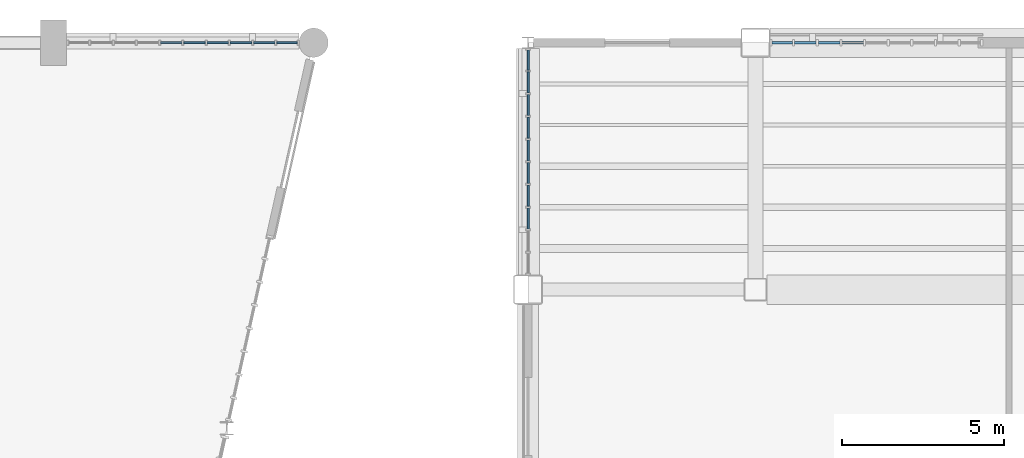
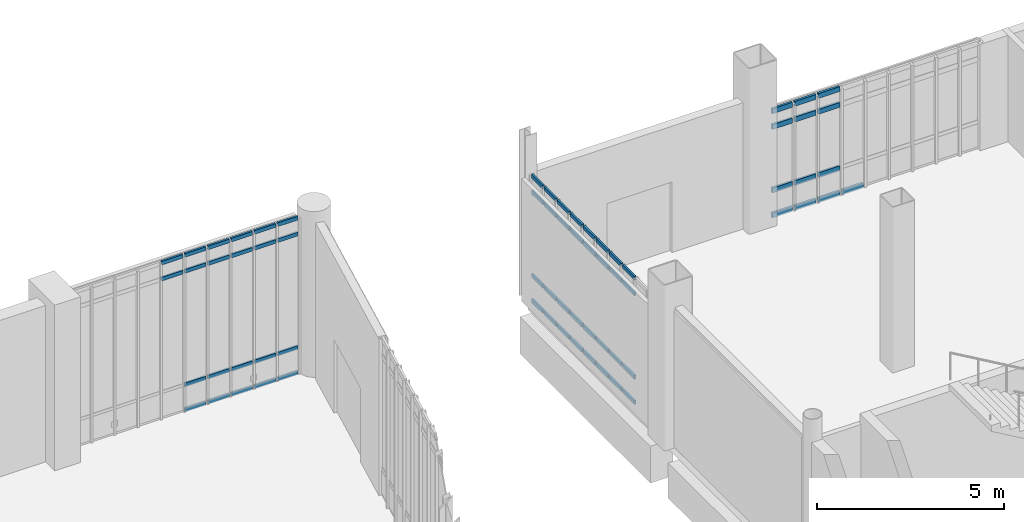
# One storey, part 48 of 111: 67 members, 3 elements without a shape of their own.
"""IFC4 building model written with IfcOpenShell, lengths in metres."""

from ifc_helpers import new_model, si_unit, direction, frame, origin, origin_2d, place, context, subcontext, project, spatial, rectangle, extrude, material, material_profile, profile_set, type_object, element, aggregate, save


model = new_model("IFC4")

# Units and contexts
model_context = context("Model", 3, precision=1e-05, world=origin(), true_north=direction((0.0, 1.0)))
body_context = subcontext(model_context, "Body", "Model", "MODEL_VIEW")
ifc_project = project(units=[si_unit("LENGTHUNIT", "METRE"), si_unit("AREAUNIT", "SQUARE_METRE"), si_unit("VOLUMEUNIT", "CUBIC_METRE"), si_unit("PLANEANGLEUNIT", "RADIAN"), si_unit("MASSUNIT", "GRAM", prefix="KILO")], contexts=[model_context])

# Site, building, storey
site_placement = place(None, origin())
site = spatial("IfcSite", under=ifc_project, at=site_placement, CompositionType="ELEMENT")
building_placement = place(site_placement, origin())
building = spatial("IfcBuilding", under=site, at=building_placement, Name="Larkvane Passage Sports Hall", CompositionType="ELEMENT")
storey_placement = place(building_placement, origin())
storey = spatial("IfcBuildingStorey", under=building, at=storey_placement, Name="L00", CompositionType="ELEMENT", Elevation=0.0)

# Curtain wall, members
ifc_material_1 = material(Name="Thermally broken aluminium and low-E glazing", Category="aluminium")
curtain_wall_type_1 = type_object("IfcCurtainWallType", Name="CW-UNIT-COURT", PredefinedType="USERDEFINED", material=ifc_material_1)
curtain_wall_1_placement = place(storey_placement, origin())
curtain_wall_1 = element("IfcCurtainWall", 1, at=curtain_wall_1_placement, inside=storey, type_object=curtain_wall_type_1, Name="Curtain wall CW5-L00-012", ObjectType="UNITISED CURTAIN WALL", PredefinedType="USERDEFINED")
ifc_material_2 = material(Name="Anodised aluminium 6063-T6", Category="aluminium")
ifc_material_profile_1 = material_profile(ifc_material_2, rectangle(XDim=0.06005859375, YDim=0.1201171875, at=origin_2d()), Name="ALU-TRN-60x120")
ifc_profile_set_1 = profile_set([ifc_material_profile_1], Name="Anodised aluminium 6063-T6")
member_type_1 = type_object("IfcMemberType", Name="CW-TRN-60x120", PredefinedType="USERDEFINED", material=ifc_profile_set_1)
member_1_placement = place(storey_placement, frame((113.289306640625, 99.199951171875, 4.550048828125), z_axis=(1.0, 0.0, 0.0), x_axis=(0.0, 1.0, 0.0)))
member_1 = element("IfcMember", 2, at=member_1_placement, type_object=member_type_1, Name="CW-01 transom 5.3", ObjectType="TRANSOM", PredefinedType="USERDEFINED", context=body_context, shape_type="SweptSolid", body=[
    extrude(rectangle(XDim=0.06005859375, YDim=0.1201171875, at=origin_2d()), origin(), (0.0, 0.0, 1.0), 0.65576171875),
])
member_2_placement = place(storey_placement, frame((113.289306640625, 99.199951171875, 5.070068359375), z_axis=(1.0, 0.0, 0.0), x_axis=(0.0, 1.0, 0.0)))
member_2 = element("IfcMember", 3, at=member_2_placement, type_object=member_type_1, Name="CW-01 transom 5.4", ObjectType="TRANSOM", PredefinedType="USERDEFINED", context=body_context, shape_type="SweptSolid", body=[
    extrude(rectangle(XDim=0.06005859375, YDim=0.1201171875, at=origin_2d()), origin(), (0.0, 0.0, 1.0), 0.65576171875),
])
member_3_placement = place(storey_placement, frame((114.0048828125, 99.199951171875, 0.030029296875), z_axis=(1.0, 0.0, 0.0), x_axis=(0.0, 1.0, 0.0)))
member_3 = element("IfcMember", 4, at=member_3_placement, type_object=member_type_1, Name="CW-01 transom 6.1", ObjectType="TRANSOM", PredefinedType="USERDEFINED", context=body_context, shape_type="SweptSolid", body=[
    extrude(rectangle(XDim=0.06005859375, YDim=0.1201171875, at=origin_2d()), origin(), (0.0, 0.0, 1.0), 0.656005859375),
])
member_4_placement = place(storey_placement, frame((114.0048828125, 99.199951171875, 0.85009765625), z_axis=(1.0, 0.0, 0.0), x_axis=(0.0, 1.0, 0.0)))
member_4 = element("IfcMember", 5, at=member_4_placement, type_object=member_type_1, Name="CW-01 transom 6.2", ObjectType="TRANSOM", PredefinedType="USERDEFINED", context=body_context, shape_type="SweptSolid", body=[
    extrude(rectangle(XDim=0.06005859375, YDim=0.1201171875, at=origin_2d()), origin(), (0.0, 0.0, 1.0), 0.656005859375),
])
member_5_placement = place(storey_placement, frame((114.0048828125, 99.199951171875, 4.550048828125), z_axis=(1.0, 0.0, 0.0), x_axis=(0.0, 1.0, 0.0)))
member_5 = element("IfcMember", 6, at=member_5_placement, type_object=member_type_1, Name="CW-01 transom 6.3", ObjectType="TRANSOM", PredefinedType="USERDEFINED", context=body_context, shape_type="SweptSolid", body=[
    extrude(rectangle(XDim=0.06005859375, YDim=0.1201171875, at=origin_2d()), origin(), (0.0, 0.0, 1.0), 0.656005859375),
])
member_6_placement = place(storey_placement, frame((114.0048828125, 99.199951171875, 5.070068359375), z_axis=(1.0, 0.0, 0.0), x_axis=(0.0, 1.0, 0.0)))
member_6 = element("IfcMember", 7, at=member_6_placement, type_object=member_type_1, Name="CW-01 transom 6.4", ObjectType="TRANSOM", PredefinedType="USERDEFINED", context=body_context, shape_type="SweptSolid", body=[
    extrude(rectangle(XDim=0.06005859375, YDim=0.1201171875, at=origin_2d()), origin(), (0.0, 0.0, 1.0), 0.656005859375),
])
member_7_placement = place(storey_placement, frame((114.720703125, 99.199951171875, 0.030029296875), z_axis=(1.0, 0.0, 0.0), x_axis=(0.0, 1.0, 0.0)))
member_7 = element("IfcMember", 8, at=member_7_placement, type_object=member_type_1, Name="CW-01 transom 7.1", ObjectType="TRANSOM", PredefinedType="USERDEFINED", context=body_context, shape_type="SweptSolid", body=[
    extrude(rectangle(XDim=0.06005859375, YDim=0.1201171875, at=origin_2d()), origin(), (0.0, 0.0, 1.0), 0.656005859375),
])
member_8_placement = place(storey_placement, frame((114.720703125, 99.199951171875, 0.85009765625), z_axis=(1.0, 0.0, 0.0), x_axis=(0.0, 1.0, 0.0)))
member_8 = element("IfcMember", 9, at=member_8_placement, type_object=member_type_1, Name="CW-01 transom 7.2", ObjectType="TRANSOM", PredefinedType="USERDEFINED", context=body_context, shape_type="SweptSolid", body=[
    extrude(rectangle(XDim=0.06005859375, YDim=0.1201171875, at=origin_2d()), origin(), (0.0, 0.0, 1.0), 0.656005859375),
])
member_9_placement = place(storey_placement, frame((114.720703125, 99.199951171875, 4.550048828125), z_axis=(1.0, 0.0, 0.0), x_axis=(0.0, 1.0, 0.0)))
member_9 = element("IfcMember", 10, at=member_9_placement, type_object=member_type_1, Name="CW-01 transom 7.3", ObjectType="TRANSOM", PredefinedType="USERDEFINED", context=body_context, shape_type="SweptSolid", body=[
    extrude(rectangle(XDim=0.06005859375, YDim=0.1201171875, at=origin_2d()), origin(), (0.0, 0.0, 1.0), 0.656005859375),
])
member_10_placement = place(storey_placement, frame((114.720703125, 99.199951171875, 5.070068359375), z_axis=(1.0, 0.0, 0.0), x_axis=(0.0, 1.0, 0.0)))
member_10 = element("IfcMember", 11, at=member_10_placement, type_object=member_type_1, Name="CW-01 transom 7.4", ObjectType="TRANSOM", PredefinedType="USERDEFINED", context=body_context, shape_type="SweptSolid", body=[
    extrude(rectangle(XDim=0.06005859375, YDim=0.1201171875, at=origin_2d()), origin(), (0.0, 0.0, 1.0), 0.656005859375),
])
member_11_placement = place(storey_placement, frame((115.4365234375, 99.199951171875, 0.030029296875), z_axis=(1.0, 0.0, 0.0), x_axis=(0.0, 1.0, 0.0)))
member_11 = element("IfcMember", 12, at=member_11_placement, type_object=member_type_1, Name="CW-01 transom 8.1", ObjectType="TRANSOM", PredefinedType="USERDEFINED", context=body_context, shape_type="SweptSolid", body=[
    extrude(rectangle(XDim=0.06005859375, YDim=0.1201171875, at=origin_2d()), origin(), (0.0, 0.0, 1.0), 0.65576171875),
])
member_12_placement = place(storey_placement, frame((115.4365234375, 99.199951171875, 0.85009765625), z_axis=(1.0, 0.0, 0.0), x_axis=(0.0, 1.0, 0.0)))
member_12 = element("IfcMember", 13, at=member_12_placement, type_object=member_type_1, Name="CW-01 transom 8.2", ObjectType="TRANSOM", PredefinedType="USERDEFINED", context=body_context, shape_type="SweptSolid", body=[
    extrude(rectangle(XDim=0.06005859375, YDim=0.1201171875, at=origin_2d()), origin(), (0.0, 0.0, 1.0), 0.65576171875),
])
member_13_placement = place(storey_placement, frame((115.4365234375, 99.199951171875, 4.550048828125), z_axis=(1.0, 0.0, 0.0), x_axis=(0.0, 1.0, 0.0)))
member_13 = element("IfcMember", 14, at=member_13_placement, type_object=member_type_1, Name="CW-01 transom 8.3", ObjectType="TRANSOM", PredefinedType="USERDEFINED", context=body_context, shape_type="SweptSolid", body=[
    extrude(rectangle(XDim=0.06005859375, YDim=0.1201171875, at=origin_2d()), origin(), (0.0, 0.0, 1.0), 0.65576171875),
])
member_14_placement = place(storey_placement, frame((115.4365234375, 99.199951171875, 5.070068359375), z_axis=(1.0, 0.0, 0.0), x_axis=(0.0, 1.0, 0.0)))
member_14 = element("IfcMember", 15, at=member_14_placement, type_object=member_type_1, Name="CW-01 transom 8.4", ObjectType="TRANSOM", PredefinedType="USERDEFINED", context=body_context, shape_type="SweptSolid", body=[
    extrude(rectangle(XDim=0.06005859375, YDim=0.1201171875, at=origin_2d()), origin(), (0.0, 0.0, 1.0), 0.65576171875),
])
member_15_placement = place(storey_placement, frame((116.15234375, 99.199951171875, 0.030029296875), z_axis=(1.0, 0.0, 0.0), x_axis=(0.0, 1.0, 0.0)))
member_15 = element("IfcMember", 16, at=member_15_placement, type_object=member_type_1, Name="CW-01 transom 9.1", ObjectType="TRANSOM", PredefinedType="USERDEFINED", context=body_context, shape_type="SweptSolid", body=[
    extrude(rectangle(XDim=0.06005859375, YDim=0.1201171875, at=origin_2d()), origin(), (0.0, 0.0, 1.0), 0.65576171875),
])
member_16_placement = place(storey_placement, frame((116.15234375, 99.199951171875, 0.85009765625), z_axis=(1.0, 0.0, 0.0), x_axis=(0.0, 1.0, 0.0)))
member_16 = element("IfcMember", 17, at=member_16_placement, type_object=member_type_1, Name="CW-01 transom 9.2", ObjectType="TRANSOM", PredefinedType="USERDEFINED", context=body_context, shape_type="SweptSolid", body=[
    extrude(rectangle(XDim=0.06005859375, YDim=0.1201171875, at=origin_2d()), origin(), (0.0, 0.0, 1.0), 0.65576171875),
])
member_17_placement = place(storey_placement, frame((116.15234375, 99.199951171875, 4.550048828125), z_axis=(1.0, 0.0, 0.0), x_axis=(0.0, 1.0, 0.0)))
member_17 = element("IfcMember", 18, at=member_17_placement, type_object=member_type_1, Name="CW-01 transom 9.3", ObjectType="TRANSOM", PredefinedType="USERDEFINED", context=body_context, shape_type="SweptSolid", body=[
    extrude(rectangle(XDim=0.06005859375, YDim=0.1201171875, at=origin_2d()), origin(), (0.0, 0.0, 1.0), 0.65576171875),
])
member_18_placement = place(storey_placement, frame((116.15234375, 99.199951171875, 5.070068359375), z_axis=(1.0, 0.0, 0.0), x_axis=(0.0, 1.0, 0.0)))
member_18 = element("IfcMember", 19, at=member_18_placement, type_object=member_type_1, Name="CW-01 transom 9.4", ObjectType="TRANSOM", PredefinedType="USERDEFINED", context=body_context, shape_type="SweptSolid", body=[
    extrude(rectangle(XDim=0.06005859375, YDim=0.1201171875, at=origin_2d()), origin(), (0.0, 0.0, 1.0), 0.65576171875),
])
member_19_placement = place(storey_placement, frame((116.8681640625, 99.199951171875, 0.030029296875), z_axis=(1.0, 0.0, 0.0), x_axis=(0.0, 1.0, 0.0)))
member_19 = element("IfcMember", 20, at=member_19_placement, type_object=member_type_1, Name="CW-01 transom 10.1", ObjectType="TRANSOM", PredefinedType="USERDEFINED", context=body_context, shape_type="SweptSolid", body=[
    extrude(rectangle(XDim=0.06005859375, YDim=0.1201171875, at=origin_2d()), origin(), (0.0, 0.0, 1.0), 0.625732421875),
])
member_20_placement = place(storey_placement, frame((116.8681640625, 99.199951171875, 0.85009765625), z_axis=(1.0, 0.0, 0.0), x_axis=(0.0, 1.0, 0.0)))
member_20 = element("IfcMember", 21, at=member_20_placement, type_object=member_type_1, Name="CW-01 transom 10.2", ObjectType="TRANSOM", PredefinedType="USERDEFINED", context=body_context, shape_type="SweptSolid", body=[
    extrude(rectangle(XDim=0.06005859375, YDim=0.1201171875, at=origin_2d()), origin(), (0.0, 0.0, 1.0), 0.625732421875),
])
member_21_placement = place(storey_placement, frame((116.8681640625, 99.199951171875, 4.550048828125), z_axis=(1.0, 0.0, 0.0), x_axis=(0.0, 1.0, 0.0)))
member_21 = element("IfcMember", 22, at=member_21_placement, type_object=member_type_1, Name="CW-01 transom 10.3", ObjectType="TRANSOM", PredefinedType="USERDEFINED", context=body_context, shape_type="SweptSolid", body=[
    extrude(rectangle(XDim=0.06005859375, YDim=0.1201171875, at=origin_2d()), origin(), (0.0, 0.0, 1.0), 0.625732421875),
])
member_22_placement = place(storey_placement, frame((116.8681640625, 99.199951171875, 5.070068359375), z_axis=(1.0, 0.0, 0.0), x_axis=(0.0, 1.0, 0.0)))
member_22 = element("IfcMember", 23, at=member_22_placement, type_object=member_type_1, Name="CW-01 transom 10.4", ObjectType="TRANSOM", PredefinedType="USERDEFINED", context=body_context, shape_type="SweptSolid", body=[
    extrude(rectangle(XDim=0.06005859375, YDim=0.1201171875, at=origin_2d()), origin(), (0.0, 0.0, 1.0), 0.625732421875),
])
aggregate(curtain_wall_1, [member_1, member_2, member_3, member_4, member_5, member_6, member_7, member_8, member_9, member_10, member_11, member_12, member_13, member_14, member_15, member_16, member_17, member_18, member_19, member_20, member_21, member_22])

curtain_wall_2_placement = place(storey_placement, origin())
curtain_wall_2 = element("IfcCurtainWall", 24, at=curtain_wall_2_placement, inside=storey, type_object=curtain_wall_type_1, Name="Curtain wall CW5-L00-020", ObjectType="UNITISED CURTAIN WALL", PredefinedType="USERDEFINED")
member_23_placement = place(storey_placement, frame((124.60009765625, 93.47265625, 0.030029296875), z_axis=(0.0, 1.0, 0.0), x_axis=(-1.0, 0.0, 0.0)))
member_23 = element("IfcMember", 25, at=member_23_placement, type_object=member_type_1, Name="CW-01 transom 3.1", ObjectType="TRANSOM", PredefinedType="USERDEFINED", context=body_context, shape_type="SweptSolid", body=[
    extrude(rectangle(XDim=0.06005859375, YDim=0.1201171875, at=origin_2d()), origin(), (0.0, 0.0, 1.0), 0.63818359375),
])
member_24_placement = place(storey_placement, frame((124.60009765625, 93.47265625, 0.85009765625), z_axis=(0.0, 1.0, 0.0), x_axis=(-1.0, 0.0, 0.0)))
member_24 = element("IfcMember", 26, at=member_24_placement, type_object=member_type_1, Name="CW-01 transom 3.2", ObjectType="TRANSOM", PredefinedType="USERDEFINED", context=body_context, shape_type="SweptSolid", body=[
    extrude(rectangle(XDim=0.06005859375, YDim=0.1201171875, at=origin_2d()), origin(), (0.0, 0.0, 1.0), 0.63818359375),
])
member_25_placement = place(storey_placement, frame((124.60009765625, 93.47265625, 3.568115234375), z_axis=(0.0, 1.0, 0.0), x_axis=(-1.0, 0.0, 0.0)))
member_25 = element("IfcMember", 27, at=member_25_placement, type_object=member_type_1, Name="CW-01 transom 3.3", ObjectType="TRANSOM", PredefinedType="USERDEFINED", context=body_context, shape_type="SweptSolid", body=[
    extrude(rectangle(XDim=0.06005859375, YDim=0.1201171875, at=origin_2d()), origin(), (0.0, 0.0, 1.0), 0.63818359375),
])
member_26_placement = place(storey_placement, frame((124.60009765625, 93.47265625, 4.087890625), z_axis=(0.0, 1.0, 0.0), x_axis=(-1.0, 0.0, 0.0)))
member_26 = element("IfcMember", 28, at=member_26_placement, type_object=member_type_1, Name="CW-01 transom 3.4", ObjectType="TRANSOM", PredefinedType="USERDEFINED", context=body_context, shape_type="SweptSolid", body=[
    extrude(rectangle(XDim=0.06005859375, YDim=0.1201171875, at=origin_2d()), origin(), (0.0, 0.0, 1.0), 0.63818359375),
])
member_27_placement = place(storey_placement, frame((124.60009765625, 94.1708984375, 0.030029296875), z_axis=(0.0, 1.0, 0.0), x_axis=(-1.0, 0.0, 0.0)))
member_27 = element("IfcMember", 29, at=member_27_placement, type_object=member_type_1, Name="CW-01 transom 4.1", ObjectType="TRANSOM", PredefinedType="USERDEFINED", context=body_context, shape_type="SweptSolid", body=[
    extrude(rectangle(XDim=0.06005859375, YDim=0.1201171875, at=origin_2d()), origin(), (0.0, 0.0, 1.0), 0.63818359375),
])
member_28_placement = place(storey_placement, frame((124.60009765625, 94.1708984375, 0.85009765625), z_axis=(0.0, 1.0, 0.0), x_axis=(-1.0, 0.0, 0.0)))
member_28 = element("IfcMember", 30, at=member_28_placement, type_object=member_type_1, Name="CW-01 transom 4.2", ObjectType="TRANSOM", PredefinedType="USERDEFINED", context=body_context, shape_type="SweptSolid", body=[
    extrude(rectangle(XDim=0.06005859375, YDim=0.1201171875, at=origin_2d()), origin(), (0.0, 0.0, 1.0), 0.63818359375),
])
member_29_placement = place(storey_placement, frame((124.60009765625, 94.1708984375, 3.568115234375), z_axis=(0.0, 1.0, 0.0), x_axis=(-1.0, 0.0, 0.0)))
member_29 = element("IfcMember", 31, at=member_29_placement, type_object=member_type_1, Name="CW-01 transom 4.3", ObjectType="TRANSOM", PredefinedType="USERDEFINED", context=body_context, shape_type="SweptSolid", body=[
    extrude(rectangle(XDim=0.06005859375, YDim=0.1201171875, at=origin_2d()), origin(), (0.0, 0.0, 1.0), 0.63818359375),
])
member_30_placement = place(storey_placement, frame((124.60009765625, 94.1708984375, 4.087890625), z_axis=(0.0, 1.0, 0.0), x_axis=(-1.0, 0.0, 0.0)))
member_30 = element("IfcMember", 32, at=member_30_placement, type_object=member_type_1, Name="CW-01 transom 4.4", ObjectType="TRANSOM", PredefinedType="USERDEFINED", context=body_context, shape_type="SweptSolid", body=[
    extrude(rectangle(XDim=0.06005859375, YDim=0.1201171875, at=origin_2d()), origin(), (0.0, 0.0, 1.0), 0.63818359375),
])
member_31_placement = place(storey_placement, frame((124.60009765625, 94.869140625, 0.030029296875), z_axis=(0.0, 1.0, 0.0), x_axis=(-1.0, 0.0, 0.0)))
member_31 = element("IfcMember", 33, at=member_31_placement, type_object=member_type_1, Name="CW-01 transom 5.1", ObjectType="TRANSOM", PredefinedType="USERDEFINED", context=body_context, shape_type="SweptSolid", body=[
    extrude(rectangle(XDim=0.06005859375, YDim=0.1201171875, at=origin_2d()), origin(), (0.0, 0.0, 1.0), 0.638427734375),
])
member_32_placement = place(storey_placement, frame((124.60009765625, 94.869140625, 0.85009765625), z_axis=(0.0, 1.0, 0.0), x_axis=(-1.0, 0.0, 0.0)))
member_32 = element("IfcMember", 34, at=member_32_placement, type_object=member_type_1, Name="CW-01 transom 5.2", ObjectType="TRANSOM", PredefinedType="USERDEFINED", context=body_context, shape_type="SweptSolid", body=[
    extrude(rectangle(XDim=0.06005859375, YDim=0.1201171875, at=origin_2d()), origin(), (0.0, 0.0, 1.0), 0.638427734375),
])
member_33_placement = place(storey_placement, frame((124.60009765625, 94.869140625, 3.568115234375), z_axis=(0.0, 1.0, 0.0), x_axis=(-1.0, 0.0, 0.0)))
member_33 = element("IfcMember", 35, at=member_33_placement, type_object=member_type_1, Name="CW-01 transom 5.3", ObjectType="TRANSOM", PredefinedType="USERDEFINED", context=body_context, shape_type="SweptSolid", body=[
    extrude(rectangle(XDim=0.06005859375, YDim=0.1201171875, at=origin_2d()), origin(), (0.0, 0.0, 1.0), 0.638427734375),
])
member_34_placement = place(storey_placement, frame((124.60009765625, 94.869140625, 4.087890625), z_axis=(0.0, 1.0, 0.0), x_axis=(-1.0, 0.0, 0.0)))
member_34 = element("IfcMember", 36, at=member_34_placement, type_object=member_type_1, Name="CW-01 transom 5.4", ObjectType="TRANSOM", PredefinedType="USERDEFINED", context=body_context, shape_type="SweptSolid", body=[
    extrude(rectangle(XDim=0.06005859375, YDim=0.1201171875, at=origin_2d()), origin(), (0.0, 0.0, 1.0), 0.638427734375),
])
member_35_placement = place(storey_placement, frame((124.60009765625, 95.5673828125, 0.030029296875), z_axis=(0.0, 1.0, 0.0), x_axis=(-1.0, 0.0, 0.0)))
member_35 = element("IfcMember", 37, at=member_35_placement, type_object=member_type_1, Name="CW-01 transom 6.1", ObjectType="TRANSOM", PredefinedType="USERDEFINED", context=body_context, shape_type="SweptSolid", body=[
    extrude(rectangle(XDim=0.06005859375, YDim=0.1201171875, at=origin_2d()), origin(), (0.0, 0.0, 1.0), 0.638427734375),
])
member_36_placement = place(storey_placement, frame((124.60009765625, 95.5673828125, 0.85009765625), z_axis=(0.0, 1.0, 0.0), x_axis=(-1.0, 0.0, 0.0)))
member_36 = element("IfcMember", 38, at=member_36_placement, type_object=member_type_1, Name="CW-01 transom 6.2", ObjectType="TRANSOM", PredefinedType="USERDEFINED", context=body_context, shape_type="SweptSolid", body=[
    extrude(rectangle(XDim=0.06005859375, YDim=0.1201171875, at=origin_2d()), origin(), (0.0, 0.0, 1.0), 0.638427734375),
])
member_37_placement = place(storey_placement, frame((124.60009765625, 95.5673828125, 3.568115234375), z_axis=(0.0, 1.0, 0.0), x_axis=(-1.0, 0.0, 0.0)))
member_37 = element("IfcMember", 39, at=member_37_placement, type_object=member_type_1, Name="CW-01 transom 6.3", ObjectType="TRANSOM", PredefinedType="USERDEFINED", context=body_context, shape_type="SweptSolid", body=[
    extrude(rectangle(XDim=0.06005859375, YDim=0.1201171875, at=origin_2d()), origin(), (0.0, 0.0, 1.0), 0.638427734375),
])
member_38_placement = place(storey_placement, frame((124.60009765625, 95.5673828125, 4.087890625), z_axis=(0.0, 1.0, 0.0), x_axis=(-1.0, 0.0, 0.0)))
member_38 = element("IfcMember", 40, at=member_38_placement, type_object=member_type_1, Name="CW-01 transom 6.4", ObjectType="TRANSOM", PredefinedType="USERDEFINED", context=body_context, shape_type="SweptSolid", body=[
    extrude(rectangle(XDim=0.06005859375, YDim=0.1201171875, at=origin_2d()), origin(), (0.0, 0.0, 1.0), 0.638427734375),
])
member_39_placement = place(storey_placement, frame((124.60009765625, 96.265869140625, 0.030029296875), z_axis=(0.0, 1.0, 0.0), x_axis=(-1.0, 0.0, 0.0)))
member_39 = element("IfcMember", 41, at=member_39_placement, type_object=member_type_1, Name="CW-01 transom 7.1", ObjectType="TRANSOM", PredefinedType="USERDEFINED", context=body_context, shape_type="SweptSolid", body=[
    extrude(rectangle(XDim=0.06005859375, YDim=0.1201171875, at=origin_2d()), origin(), (0.0, 0.0, 1.0), 0.63818359375),
])
member_40_placement = place(storey_placement, frame((124.60009765625, 96.265869140625, 0.85009765625), z_axis=(0.0, 1.0, 0.0), x_axis=(-1.0, 0.0, 0.0)))
member_40 = element("IfcMember", 42, at=member_40_placement, type_object=member_type_1, Name="CW-01 transom 7.2", ObjectType="TRANSOM", PredefinedType="USERDEFINED", context=body_context, shape_type="SweptSolid", body=[
    extrude(rectangle(XDim=0.06005859375, YDim=0.1201171875, at=origin_2d()), origin(), (0.0, 0.0, 1.0), 0.63818359375),
])
member_41_placement = place(storey_placement, frame((124.60009765625, 96.265869140625, 3.568115234375), z_axis=(0.0, 1.0, 0.0), x_axis=(-1.0, 0.0, 0.0)))
member_41 = element("IfcMember", 43, at=member_41_placement, type_object=member_type_1, Name="CW-01 transom 7.3", ObjectType="TRANSOM", PredefinedType="USERDEFINED", context=body_context, shape_type="SweptSolid", body=[
    extrude(rectangle(XDim=0.06005859375, YDim=0.1201171875, at=origin_2d()), origin(), (0.0, 0.0, 1.0), 0.63818359375),
])
member_42_placement = place(storey_placement, frame((124.60009765625, 96.265869140625, 4.087890625), z_axis=(0.0, 1.0, 0.0), x_axis=(-1.0, 0.0, 0.0)))
member_42 = element("IfcMember", 44, at=member_42_placement, type_object=member_type_1, Name="CW-01 transom 7.4", ObjectType="TRANSOM", PredefinedType="USERDEFINED", context=body_context, shape_type="SweptSolid", body=[
    extrude(rectangle(XDim=0.06005859375, YDim=0.1201171875, at=origin_2d()), origin(), (0.0, 0.0, 1.0), 0.63818359375),
])
member_43_placement = place(storey_placement, frame((124.60009765625, 96.964111328125, 0.030029296875), z_axis=(0.0, 1.0, 0.0), x_axis=(-1.0, 0.0, 0.0)))
member_43 = element("IfcMember", 45, at=member_43_placement, type_object=member_type_1, Name="CW-01 transom 8.1", ObjectType="TRANSOM", PredefinedType="USERDEFINED", context=body_context, shape_type="SweptSolid", body=[
    extrude(rectangle(XDim=0.06005859375, YDim=0.1201171875, at=origin_2d()), origin(), (0.0, 0.0, 1.0), 0.63818359375),
])
member_44_placement = place(storey_placement, frame((124.60009765625, 96.964111328125, 0.85009765625), z_axis=(0.0, 1.0, 0.0), x_axis=(-1.0, 0.0, 0.0)))
member_44 = element("IfcMember", 46, at=member_44_placement, type_object=member_type_1, Name="CW-01 transom 8.2", ObjectType="TRANSOM", PredefinedType="USERDEFINED", context=body_context, shape_type="SweptSolid", body=[
    extrude(rectangle(XDim=0.06005859375, YDim=0.1201171875, at=origin_2d()), origin(), (0.0, 0.0, 1.0), 0.63818359375),
])
member_45_placement = place(storey_placement, frame((124.60009765625, 96.964111328125, 3.568115234375), z_axis=(0.0, 1.0, 0.0), x_axis=(-1.0, 0.0, 0.0)))
member_45 = element("IfcMember", 47, at=member_45_placement, type_object=member_type_1, Name="CW-01 transom 8.3", ObjectType="TRANSOM", PredefinedType="USERDEFINED", context=body_context, shape_type="SweptSolid", body=[
    extrude(rectangle(XDim=0.06005859375, YDim=0.1201171875, at=origin_2d()), origin(), (0.0, 0.0, 1.0), 0.63818359375),
])
member_46_placement = place(storey_placement, frame((124.60009765625, 96.964111328125, 4.087890625), z_axis=(0.0, 1.0, 0.0), x_axis=(-1.0, 0.0, 0.0)))
member_46 = element("IfcMember", 48, at=member_46_placement, type_object=member_type_1, Name="CW-01 transom 8.4", ObjectType="TRANSOM", PredefinedType="USERDEFINED", context=body_context, shape_type="SweptSolid", body=[
    extrude(rectangle(XDim=0.06005859375, YDim=0.1201171875, at=origin_2d()), origin(), (0.0, 0.0, 1.0), 0.63818359375),
])
member_47_placement = place(storey_placement, frame((124.60009765625, 97.662353515625, 0.030029296875), z_axis=(0.0, 1.0, 0.0), x_axis=(-1.0, 0.0, 0.0)))
member_47 = element("IfcMember", 49, at=member_47_placement, type_object=member_type_1, Name="CW-01 transom 9.1", ObjectType="TRANSOM", PredefinedType="USERDEFINED", context=body_context, shape_type="SweptSolid", body=[
    extrude(rectangle(XDim=0.06005859375, YDim=0.1201171875, at=origin_2d()), origin(), (0.0, 0.0, 1.0), 0.638427734375),
])
member_48_placement = place(storey_placement, frame((124.60009765625, 97.662353515625, 0.85009765625), z_axis=(0.0, 1.0, 0.0), x_axis=(-1.0, 0.0, 0.0)))
member_48 = element("IfcMember", 50, at=member_48_placement, type_object=member_type_1, Name="CW-01 transom 9.2", ObjectType="TRANSOM", PredefinedType="USERDEFINED", context=body_context, shape_type="SweptSolid", body=[
    extrude(rectangle(XDim=0.06005859375, YDim=0.1201171875, at=origin_2d()), origin(), (0.0, 0.0, 1.0), 0.638427734375),
])
member_49_placement = place(storey_placement, frame((124.60009765625, 97.662353515625, 3.568115234375), z_axis=(0.0, 1.0, 0.0), x_axis=(-1.0, 0.0, 0.0)))
member_49 = element("IfcMember", 51, at=member_49_placement, type_object=member_type_1, Name="CW-01 transom 9.3", ObjectType="TRANSOM", PredefinedType="USERDEFINED", context=body_context, shape_type="SweptSolid", body=[
    extrude(rectangle(XDim=0.06005859375, YDim=0.1201171875, at=origin_2d()), origin(), (0.0, 0.0, 1.0), 0.638427734375),
])
member_50_placement = place(storey_placement, frame((124.60009765625, 97.662353515625, 4.087890625), z_axis=(0.0, 1.0, 0.0), x_axis=(-1.0, 0.0, 0.0)))
member_50 = element("IfcMember", 52, at=member_50_placement, type_object=member_type_1, Name="CW-01 transom 9.4", ObjectType="TRANSOM", PredefinedType="USERDEFINED", context=body_context, shape_type="SweptSolid", body=[
    extrude(rectangle(XDim=0.06005859375, YDim=0.1201171875, at=origin_2d()), origin(), (0.0, 0.0, 1.0), 0.638427734375),
])
member_51_placement = place(storey_placement, frame((124.60009765625, 98.360595703125, 0.030029296875), z_axis=(0.0, 1.0, 0.0), x_axis=(-1.0, 0.0, 0.0)))
member_51 = element("IfcMember", 53, at=member_51_placement, type_object=member_type_1, Name="CW-01 transom 10.1", ObjectType="TRANSOM", PredefinedType="USERDEFINED", context=body_context, shape_type="SweptSolid", body=[
    extrude(rectangle(XDim=0.06005859375, YDim=0.1201171875, at=origin_2d()), origin(), (0.0, 0.0, 1.0), 0.6083984375),
])
member_52_placement = place(storey_placement, frame((124.60009765625, 98.360595703125, 0.85009765625), z_axis=(0.0, 1.0, 0.0), x_axis=(-1.0, 0.0, 0.0)))
member_52 = element("IfcMember", 54, at=member_52_placement, type_object=member_type_1, Name="CW-01 transom 10.2", ObjectType="TRANSOM", PredefinedType="USERDEFINED", context=body_context, shape_type="SweptSolid", body=[
    extrude(rectangle(XDim=0.06005859375, YDim=0.1201171875, at=origin_2d()), origin(), (0.0, 0.0, 1.0), 0.6083984375),
])
member_53_placement = place(storey_placement, frame((124.60009765625, 98.360595703125, 3.568115234375), z_axis=(0.0, 1.0, 0.0), x_axis=(-1.0, 0.0, 0.0)))
member_53 = element("IfcMember", 55, at=member_53_placement, type_object=member_type_1, Name="CW-01 transom 10.3", ObjectType="TRANSOM", PredefinedType="USERDEFINED", context=body_context, shape_type="SweptSolid", body=[
    extrude(rectangle(XDim=0.06005859375, YDim=0.1201171875, at=origin_2d()), origin(), (0.0, 0.0, 1.0), 0.6083984375),
])
member_54_placement = place(storey_placement, frame((124.60009765625, 98.360595703125, 4.087890625), z_axis=(0.0, 1.0, 0.0), x_axis=(-1.0, 0.0, 0.0)))
member_54 = element("IfcMember", 56, at=member_54_placement, type_object=member_type_1, Name="CW-01 transom 10.4", ObjectType="TRANSOM", PredefinedType="USERDEFINED", context=body_context, shape_type="SweptSolid", body=[
    extrude(rectangle(XDim=0.06005859375, YDim=0.1201171875, at=origin_2d()), origin(), (0.0, 0.0, 1.0), 0.6083984375),
])
aggregate(curtain_wall_2, [member_23, member_24, member_25, member_26, member_27, member_28, member_29, member_30, member_31, member_32, member_33, member_34, member_35, member_36, member_37, member_38, member_39, member_40, member_41, member_42, member_43, member_44, member_45, member_46, member_47, member_48, member_49, member_50, member_51, member_52, member_53, member_54])

curtain_wall_type_2 = type_object("IfcCurtainWallType", Name="CW-UNIT-VEIL", PredefinedType="USERDEFINED", material=ifc_material_1)
curtain_wall_3_placement = place(storey_placement, origin())
curtain_wall_3 = element("IfcCurtainWall", 57, at=curtain_wall_3_placement, inside=storey, type_object=curtain_wall_type_2, Name="Curtain wall CW5-L00-021", ObjectType="UNITISED CURTAIN WALL", PredefinedType="USERDEFINED")
ifc_material_profile_2 = material_profile(ifc_material_2, rectangle(XDim=0.070068359375, YDim=0.159912109375, at=origin_2d()), Name="ALU-TRN-70x160")
ifc_profile_set_2 = profile_set([ifc_material_profile_2], Name="Anodised aluminium 6063-T6")
member_type_2 = type_object("IfcMemberType", Name="CW-TRN-70x160", PredefinedType="USERDEFINED", material=ifc_profile_set_2)
member_55_placement = place(storey_placement, frame((132.115966796875, 99.199951171875, 0.034912109375), z_axis=(1.0, 0.0, 0.0), x_axis=(0.0, 1.0, 0.0)))
member_55 = element("IfcMember", 58, at=member_55_placement, type_object=member_type_2, Name="CW-02 transom 1.1", ObjectType="TRANSOM", PredefinedType="USERDEFINED", context=body_context, shape_type="SweptSolid", body=[
    extrude(rectangle(XDim=0.070068359375, YDim=0.159912109375, at=origin_2d()), origin(), (0.0, 0.0, 1.0), 0.623291015625),
])
member_56_placement = place(storey_placement, frame((132.115966796875, 99.199951171875, 0.85009765625), z_axis=(1.0, 0.0, 0.0), x_axis=(0.0, 1.0, 0.0)))
member_56 = element("IfcMember", 59, at=member_56_placement, type_object=member_type_2, Name="CW-02 transom 1.2", ObjectType="TRANSOM", PredefinedType="USERDEFINED", context=body_context, shape_type="SweptSolid", body=[
    extrude(rectangle(XDim=0.070068359375, YDim=0.159912109375, at=origin_2d()), origin(), (0.0, 0.0, 1.0), 0.623291015625),
])
member_57_placement = place(storey_placement, frame((132.115966796875, 99.199951171875, 2.91796875), z_axis=(1.0, 0.0, 0.0), x_axis=(0.0, 1.0, 0.0)))
member_57 = element("IfcMember", 60, at=member_57_placement, type_object=member_type_2, Name="CW-02 transom 1.3", ObjectType="TRANSOM", PredefinedType="USERDEFINED", context=body_context, shape_type="SweptSolid", body=[
    extrude(rectangle(XDim=0.070068359375, YDim=0.159912109375, at=origin_2d()), origin(), (0.0, 0.0, 1.0), 0.623291015625),
])
member_58_placement = place(storey_placement, frame((132.115966796875, 99.199951171875, 3.43310546875), z_axis=(1.0, 0.0, 0.0), x_axis=(0.0, 1.0, 0.0)))
member_58 = element("IfcMember", 61, at=member_58_placement, type_object=member_type_2, Name="CW-02 transom 1.4", ObjectType="TRANSOM", PredefinedType="USERDEFINED", context=body_context, shape_type="SweptSolid", body=[
    extrude(rectangle(XDim=0.070068359375, YDim=0.159912109375, at=origin_2d()), origin(), (0.0, 0.0, 1.0), 0.623291015625),
])
member_59_placement = place(storey_placement, frame((132.809326171875, 99.199951171875, 0.034912109375), z_axis=(1.0, 0.0, 0.0), x_axis=(0.0, 1.0, 0.0)))
member_59 = element("IfcMember", 62, at=member_59_placement, type_object=member_type_2, Name="CW-02 transom 2.1", ObjectType="TRANSOM", PredefinedType="USERDEFINED", context=body_context, shape_type="SweptSolid", body=[
    extrude(rectangle(XDim=0.070068359375, YDim=0.159912109375, at=origin_2d()), origin(), (0.0, 0.0, 1.0), 0.658203125),
])
member_60_placement = place(storey_placement, frame((132.809326171875, 99.199951171875, 0.85009765625), z_axis=(1.0, 0.0, 0.0), x_axis=(0.0, 1.0, 0.0)))
member_60 = element("IfcMember", 63, at=member_60_placement, type_object=member_type_2, Name="CW-02 transom 2.2", ObjectType="TRANSOM", PredefinedType="USERDEFINED", context=body_context, shape_type="SweptSolid", body=[
    extrude(rectangle(XDim=0.070068359375, YDim=0.159912109375, at=origin_2d()), origin(), (0.0, 0.0, 1.0), 0.658203125),
])
member_61_placement = place(storey_placement, frame((132.809326171875, 99.199951171875, 2.91796875), z_axis=(1.0, 0.0, 0.0), x_axis=(0.0, 1.0, 0.0)))
member_61 = element("IfcMember", 64, at=member_61_placement, type_object=member_type_2, Name="CW-02 transom 2.3", ObjectType="TRANSOM", PredefinedType="USERDEFINED", context=body_context, shape_type="SweptSolid", body=[
    extrude(rectangle(XDim=0.070068359375, YDim=0.159912109375, at=origin_2d()), origin(), (0.0, 0.0, 1.0), 0.658203125),
])
member_62_placement = place(storey_placement, frame((132.809326171875, 99.199951171875, 3.43310546875), z_axis=(1.0, 0.0, 0.0), x_axis=(0.0, 1.0, 0.0)))
member_62 = element("IfcMember", 65, at=member_62_placement, type_object=member_type_2, Name="CW-02 transom 2.4", ObjectType="TRANSOM", PredefinedType="USERDEFINED", context=body_context, shape_type="SweptSolid", body=[
    extrude(rectangle(XDim=0.070068359375, YDim=0.159912109375, at=origin_2d()), origin(), (0.0, 0.0, 1.0), 0.658203125),
])
member_63_placement = place(storey_placement, frame((133.537353515625, 99.199951171875, 0.034912109375), z_axis=(1.0, 0.0, 0.0), x_axis=(0.0, 1.0, 0.0)))
member_63 = element("IfcMember", 66, at=member_63_placement, type_object=member_type_2, Name="CW-02 transom 3.1", ObjectType="TRANSOM", PredefinedType="USERDEFINED", context=body_context, shape_type="SweptSolid", body=[
    extrude(rectangle(XDim=0.070068359375, YDim=0.159912109375, at=origin_2d()), origin(), (0.0, 0.0, 1.0), 0.658203125),
])
member_64_placement = place(storey_placement, frame((133.537353515625, 99.199951171875, 0.85009765625), z_axis=(1.0, 0.0, 0.0), x_axis=(0.0, 1.0, 0.0)))
member_64 = element("IfcMember", 67, at=member_64_placement, type_object=member_type_2, Name="CW-02 transom 3.2", ObjectType="TRANSOM", PredefinedType="USERDEFINED", context=body_context, shape_type="SweptSolid", body=[
    extrude(rectangle(XDim=0.070068359375, YDim=0.159912109375, at=origin_2d()), origin(), (0.0, 0.0, 1.0), 0.658203125),
])
member_65_placement = place(storey_placement, frame((133.537353515625, 99.199951171875, 2.91796875), z_axis=(1.0, 0.0, 0.0), x_axis=(0.0, 1.0, 0.0)))
member_65 = element("IfcMember", 68, at=member_65_placement, type_object=member_type_2, Name="CW-02 transom 3.3", ObjectType="TRANSOM", PredefinedType="USERDEFINED", context=body_context, shape_type="SweptSolid", body=[
    extrude(rectangle(XDim=0.070068359375, YDim=0.159912109375, at=origin_2d()), origin(), (0.0, 0.0, 1.0), 0.658203125),
])
member_66_placement = place(storey_placement, frame((133.537353515625, 99.199951171875, 3.43310546875), z_axis=(1.0, 0.0, 0.0), x_axis=(0.0, 1.0, 0.0)))
member_66 = element("IfcMember", 69, at=member_66_placement, type_object=member_type_2, Name="CW-02 transom 3.4", ObjectType="TRANSOM", PredefinedType="USERDEFINED", context=body_context, shape_type="SweptSolid", body=[
    extrude(rectangle(XDim=0.070068359375, YDim=0.159912109375, at=origin_2d()), origin(), (0.0, 0.0, 1.0), 0.658203125),
])
member_67_placement = place(storey_placement, frame((134.265625, 99.199951171875, 0.034912109375), z_axis=(1.0, 0.0, 0.0), x_axis=(0.0, 1.0, 0.0)))
member_67 = element("IfcMember", 70, at=member_67_placement, type_object=member_type_2, Name="CW-02 transom 4.1", ObjectType="TRANSOM", PredefinedType="USERDEFINED", context=body_context, shape_type="SweptSolid", body=[
    extrude(rectangle(XDim=0.070068359375, YDim=0.159912109375, at=origin_2d()), origin(), (0.0, 0.0, 1.0), 0.658203125),
])
aggregate(curtain_wall_3, [member_55, member_56, member_57, member_58, member_59, member_60, member_61, member_62, member_63, member_64, member_65, member_66, member_67])

save(model, "model.ifc")
